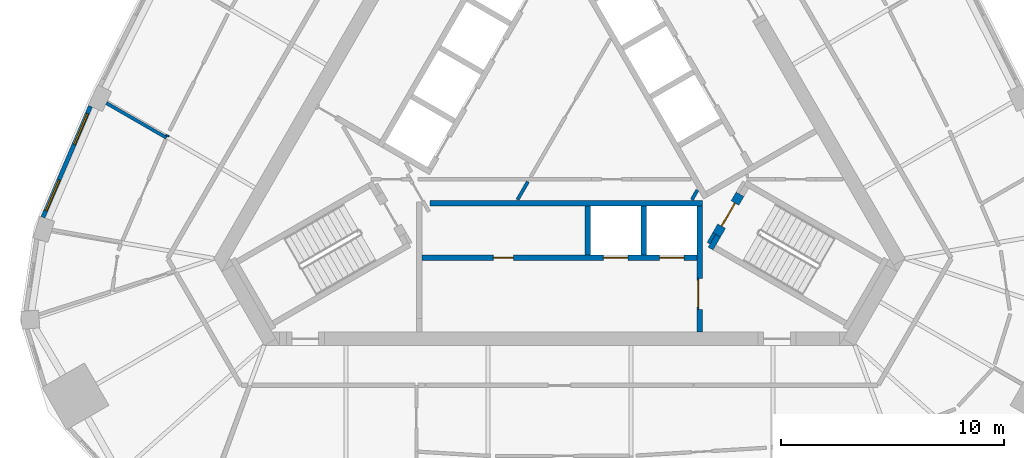
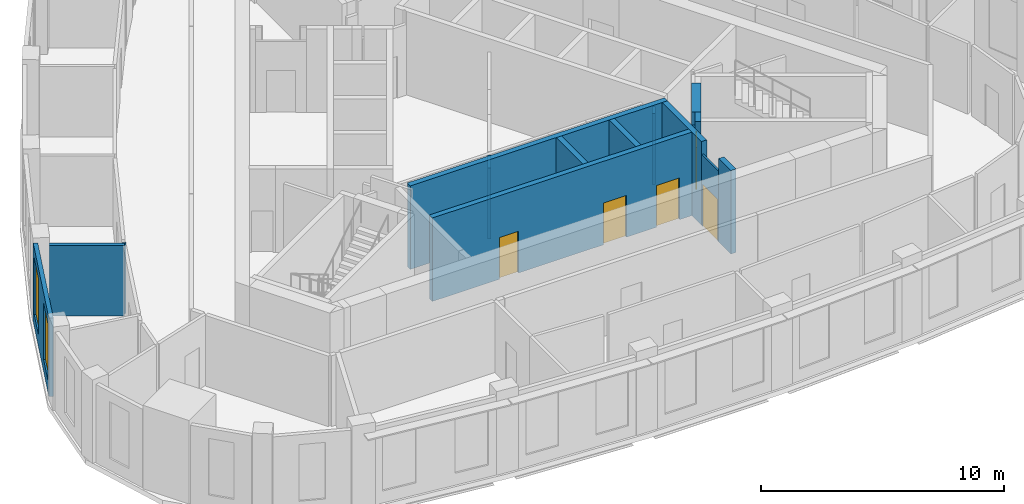
# One storey, part 4 of 10: 15 walls, 5 doors, 2 windows, 7 openings.
"""IFC4 building model written with IfcOpenShell, lengths in metres."""

from ifc_helpers import new_model, si_unit, direction, frame, frame_2d, origin, place, context, subcontext, project, spatial, rectangle, extrude, material, layer, layer_set, type_object, element, fill, save


model = new_model("IFC4")

# Units and contexts
model_context = context("Model", 3, precision=1e-05, world=origin(), true_north=direction((0.0, 1.0)))
body_context = subcontext(model_context, "Body", "Model", "MODEL_VIEW")
ifc_project = project(units=[si_unit("LENGTHUNIT", "METRE"), si_unit("AREAUNIT", "SQUARE_METRE"), si_unit("VOLUMEUNIT", "CUBIC_METRE"), si_unit("PLANEANGLEUNIT", "RADIAN"), si_unit("MASSUNIT", "GRAM", prefix="KILO")], contexts=[model_context])

# Site, building, storey
site_placement = place(None, origin())
site = spatial("IfcSite", under=ifc_project, at=site_placement, CompositionType="ELEMENT")
building_placement = place(site_placement, origin())
building = spatial("IfcBuilding", under=site, at=building_placement, Name="Mestral Congress Tower", CompositionType="ELEMENT")
storey_placement = place(building_placement, frame((0.0, 0.0, 283.800048828125)))
storey = spatial("IfcBuildingStorey", under=building, at=storey_placement, Name="L66", CompositionType="ELEMENT", Elevation=283.800048828125)

# Walls
ifc_material_1 = material(Name="Fire-rated board partition")
ifc_layer_1 = layer(ifc_material_1, 0.14990234375)
ifc_layer_set_1 = layer_set([ifc_layer_1], Name="Fire-rated board partition")
wall_type_1 = type_object("IfcWallType", Name="Core partition 150", PredefinedType="PARTITIONING", material=ifc_layer_set_1)
wall_1_placement = place(storey_placement, frame((-1.41845703125, -2.90673828125, 0.0), z_axis=(0.0, 0.0, 1.0), x_axis=(-0.499978056798, -0.866038072327, 0.0)))
element("IfcWall", 1, at=wall_1_placement, inside=storey, type_object=wall_type_1, Name="L66 core wall", PredefinedType="PARTITIONING", context=body_context, shape_type="SweptSolid", body=[
    extrude(rectangle(XDim=0.93701171875, YDim=0.14990234375, at=frame_2d((0.468505859375, 0.0))), origin(), (0.0, 0.0, 1.0), 3.550048828125),
])
wall_2_placement = place(storey_placement, frame((6.68798828125, -5.667236328125, 0.0), z_axis=(0.0, 0.0, 1.0), x_axis=(0.499834152157, 0.86612113491, 0.0)))
element("IfcWall", 2, at=wall_2_placement, inside=storey, type_object=wall_type_1, Name="L66 core wall", PredefinedType="PARTITIONING", context=body_context, shape_type="SweptSolid", body=[
    extrude(rectangle(XDim=0.504638671875, YDim=0.14990234375, at=frame_2d((0.25244140625, 0.0))), origin(), (0.0, 0.0, 1.0), 3.550048828125),
])
wall_3_placement = place(storey_placement, frame((5.935791015625, -3.718017578125, 0.0), z_axis=(0.0, 0.0, 1.0), x_axis=(0.499890179513, 0.866088799389, 0.0)))
element("IfcWall", 3, at=wall_3_placement, inside=storey, type_object=wall_type_1, Name="L66 core wall", PredefinedType="PARTITIONING", context=body_context, shape_type="SweptSolid", body=[
    extrude(rectangle(XDim=0.50390625, YDim=0.14990234375, at=frame_2d((0.251953125, 0.0))), origin(), (0.0, 0.0, 1.0), 3.550048828125),
])

# Wall, opening, door
ifc_layer_2 = layer(ifc_material_1, 0.090087890625)
ifc_layer_set_2 = layer_set([ifc_layer_2], Name="Fire-rated board partition")
wall_type_2 = type_object("IfcWallType", Name="Core partition 150 door-wall 90", PredefinedType="PARTITIONING", material=ifc_layer_set_2)
wall_4_placement = place(storey_placement, frame((6.219970703125, -7.23681640625, 0.0), z_axis=(0.0, 0.0, 1.0), x_axis=(0.0, -1.0, 0.0)))
wall_4 = element("IfcWall", 4, at=wall_4_placement, inside=storey, type_object=wall_type_2, Name="L66 door wall", PredefinedType="PARTITIONING", context=body_context, shape_type="SweptSolid", body=[
    extrude(rectangle(XDim=1.400146484375, YDim=0.090087890625, at=frame_2d((0.7001953125, 0.0))), origin(), (0.0, 0.0, 1.0), 3.550048828125),
])
opening_1_placement = place(wall_4_placement, frame((0.10009765625, 0.0, 0.0)))
opening_1 = element("IfcOpeningElement", 5, at=opening_1_placement, cuts=wall_4, Name="Opening LB0-WL1", PredefinedType="OPENING", context=body_context, shape_type="SweptSolid", body=[
    extrude(rectangle(XDim=1.199951171875, YDim=2.10009765625, at=frame_2d((0.60009765625, 1.050048828125))), frame((0.0, 0.054931640625, 0.0), z_axis=(0.0, -1.0, 0.0), x_axis=(1.0, 0.0, 0.0)), (0.0, 0.0, 1.0), 0.110107421875),
])
ifc_material_2 = material(Name="Fire-rated steel door set", Category="steel")
door_type_1 = type_object("IfcDoorType", Name="Core door LB 1200x2100", OperationType="SINGLE_SWING_LEFT", PredefinedType="DOOR", material=ifc_material_2)
door_1_placement = place(opening_1_placement, origin())
door_1 = element("IfcDoor", 6, at=door_1_placement, inside=storey, type_object=door_type_1, Name="Door LB0-WL1", OperationType="SINGLE_SWING_LEFT", OverallHeight=2.10009765625, OverallWidth=1.199951171875, PredefinedType="DOOR", context=body_context, shape_type="SweptSolid", body=[
    extrude(rectangle(XDim=1.199951171875, YDim=2.10009765625, at=frame_2d((0.60009765625, 1.050048828125))), frame((0.0, 0.02490234375, 0.0), z_axis=(0.0, -1.0, 0.0), x_axis=(1.0, 0.0, 0.0)), (0.0, 0.0, 1.0), 0.050048828125),
])
fill(opening_1, door_1)

# Wall, openings, windows
ifc_material_3 = material(Name="Precast concrete C40/50 with limestone facing", Category="masonry")
ifc_layer_3 = layer(ifc_material_3, 0.18994140625)
ifc_layer_set_3 = layer_set([ifc_layer_3], Name="Precast concrete C40/50 with limestone facing")
wall_type_3 = type_object("IfcWallType", Name="Facade stone wall 190", PredefinedType="SOLIDWALL", material=ifc_layer_set_3)
wall_5_placement = place(storey_placement, frame((-21.048828125, 0.477783203125, 0.0), z_axis=(0.0, 0.0, 1.0), x_axis=(-0.393347848476, -0.919389726992, 0.0)))
wall_5 = element("IfcWall", 7, at=wall_5_placement, inside=storey, type_object=wall_type_3, Name="Facade wall F2-04", PredefinedType="SOLIDWALL", context=body_context, shape_type="SweptSolid", body=[
    extrude(rectangle(XDim=5.414794921875, YDim=0.18994140625, at=frame_2d((2.70751953125, 0.0))), origin(), (0.0, 0.0, 1.0), 3.949951171875),
])
opening_2_placement = place(wall_5_placement, frame((0.357421875, 0.0, 0.60009765625)))
opening_2 = element("IfcOpeningElement", 8, at=opening_2_placement, cuts=wall_5, Name="Opening W6", PredefinedType="OPENING", context=body_context, shape_type="SweptSolid", body=[
    extrude(rectangle(XDim=1.5, YDim=2.85009765625, at=frame_2d((0.75, 1.425048828125))), frame((0.0, 0.10498046875, 0.0), z_axis=(0.0, -1.0, 0.0), x_axis=(1.0, 0.0, 0.0)), (0.0, 0.0, 1.0), 0.2099609375),
])
opening_3_placement = place(wall_5_placement, frame((3.592529296875, 0.0, 0.60009765625)))
opening_3 = element("IfcOpeningElement", 9, at=opening_3_placement, cuts=wall_5, Name="Opening W6", PredefinedType="OPENING", context=body_context, shape_type="SweptSolid", body=[
    extrude(rectangle(XDim=1.5, YDim=2.85009765625, at=frame_2d((0.75, 1.425048828125))), frame((0.0, 0.10498046875, 0.0), z_axis=(0.0, -1.0, 0.0), x_axis=(1.0, 0.0, 0.0)), (0.0, 0.0, 1.0), 0.2099609375),
])
ifc_material_4 = material(Name="Clear low-emissivity double glazing", Category="glass")
window_type = type_object("IfcWindowType", Name="Facade punched window 1500 x 2850 sill 600", PartitioningType="SINGLE_PANEL", PredefinedType="WINDOW", material=ifc_material_4)
window_1_placement = place(opening_2_placement, origin())
window_1 = element("IfcWindow", 10, at=window_1_placement, inside=storey, type_object=window_type, Name="Window F2-04a", OverallHeight=2.85009765625, OverallWidth=1.5, PartitioningType="SINGLE_PANEL", PredefinedType="WINDOW", context=body_context, shape_type="SweptSolid", body=[
    extrude(rectangle(XDim=1.5, YDim=2.85009765625, at=frame_2d((0.75, 1.425048828125))), frame((0.0, 0.044921875, 0.0), z_axis=(0.0, -1.0, 0.0), x_axis=(1.0, 0.0, 0.0)), (0.0, 0.0, 1.0), 0.06005859375),
])
fill(opening_2, window_1)
window_2_placement = place(opening_3_placement, origin())
window_2 = element("IfcWindow", 11, at=window_2_placement, inside=storey, type_object=window_type, Name="Window F2-04b", OverallHeight=2.85009765625, OverallWidth=1.5, PartitioningType="SINGLE_PANEL", PredefinedType="WINDOW", context=body_context, shape_type="SweptSolid", body=[
    extrude(rectangle(XDim=1.5, YDim=2.85009765625, at=frame_2d((0.75, 1.425048828125))), frame((0.0, 0.044921875, 0.0), z_axis=(0.0, -1.0, 0.0), x_axis=(1.0, 0.0, 0.0)), (0.0, 0.0, 1.0), 0.06005859375),
])
fill(opening_3, window_2)

# Walls
ifc_material_5 = material(Name="Plasterboard partition on steel studs", Category="steel")
ifc_layer_4 = layer(ifc_material_5, 0.14990234375)
ifc_layer_set_4 = layer_set([ifc_layer_4], Name="Plasterboard partition on steel studs")
wall_type_4 = type_object("IfcWallType", Name="Office partition 150", PredefinedType="PARTITIONING", material=ifc_layer_set_4)
wall_6_placement = place(storey_placement, frame((-17.634521484375, -0.935546875, 0.0), z_axis=(0.0, 0.0, 1.0), x_axis=(-0.866044607523, 0.499966736674, 0.0)))
element("IfcWall", 12, at=wall_6_placement, inside=storey, type_object=wall_type_4, Name="Partition", PredefinedType="PARTITIONING", context=body_context, shape_type="SweptSolid", body=[
    extrude(rectangle(XDim=3.114501953125, YDim=0.14990234375, at=frame_2d((1.55712890625, 0.0))), origin(), (0.0, 0.0, 1.0), 3.550048828125),
])
wall_7_placement = place(storey_placement, frame((-17.5810546875, -0.810302734375, 0.0), z_axis=(0.0, 0.0, 1.0), x_axis=(-0.390033474923, -0.92080067791, 0.0)))
element("IfcWall", 13, at=wall_7_placement, inside=storey, type_object=wall_type_4, Name="Partition", PredefinedType="PARTITIONING", context=body_context, shape_type="SweptSolid", body=[
    extrude(rectangle(XDim=0.060791015625, YDim=0.14990234375, at=frame_2d((0.0302734375, 0.0))), origin(), (0.0, 0.0, 1.0), 3.550048828125),
])
ifc_material_6 = material(Name="Concrete C60/75", Category="concrete")
ifc_layer_5 = layer(ifc_material_6, 0.25)
ifc_layer_set_5 = layer_set([ifc_layer_5], Name="Concrete C60/75")
wall_type_5 = type_object("IfcWallType", Name="Shaft wall RC 250", PredefinedType="SOLIDWALL", material=ifc_layer_set_5)
wall_8_placement = place(storey_placement, frame((-5.806396484375, -3.875, 0.0), z_axis=(0.0, 0.0, 1.0), x_axis=(1.0, 0.0, 0.0)))
element("IfcWall", 14, at=wall_8_placement, inside=storey, type_object=wall_type_5, Name="L66 core wall", PredefinedType="SOLIDWALL", context=body_context, shape_type="SweptSolid", body=[
    extrude(rectangle(XDim=12.2314453125, YDim=0.25, at=frame_2d((6.11572265625, 0.0))), origin(), (0.0, 0.0, 1.0), 4.199951171875),
])
wall_9_placement = place(storey_placement, frame((6.300048828125, -7.239990234375, 0.0), z_axis=(0.0, 0.0, 1.0), x_axis=(0.0, 1.0, 0.0)))
element("IfcWall", 15, at=wall_9_placement, inside=storey, type_object=wall_type_5, Name="L66 core wall", PredefinedType="SOLIDWALL", context=body_context, shape_type="SweptSolid", body=[
    extrude(rectangle(XDim=3.239990234375, YDim=0.25, at=frame_2d((1.6201171875, 0.0))), origin(), (0.0, 0.0, 1.0), 4.199951171875),
])
wall_10_placement = place(storey_placement, frame((6.300048828125, -9.64990234375, 0.0), z_axis=(0.0, 0.0, 1.0), x_axis=(0.0, 1.0, 0.0)))
element("IfcWall", 16, at=wall_10_placement, inside=storey, type_object=wall_type_5, Name="L66 core wall", PredefinedType="SOLIDWALL", context=body_context, shape_type="SweptSolid", body=[
    extrude(rectangle(XDim=1.0078125, YDim=0.25, at=frame_2d((0.50390625, 0.0))), origin(), (0.0, 0.0, 1.0), 4.199951171875),
])
for number, where, z_axis, x_axis, name in (
    (17, (3.780029296875, -4.0, 0.0), (0.0, 0.0, 1.0), (0.0, -1.0, 0.0), "L66 core wall"),
    (18, (1.260009765625, -4.0, 0.0), (0.0, 0.0, 1.0), (0.0, -1.0, 0.0), "L66 core wall"),
):
    element("IfcWall", number, at=place(storey_placement, frame(where, z_axis=z_axis, x_axis=x_axis)), inside=storey, type_object=wall_type_5, Name=name, PredefinedType="SOLIDWALL", context=body_context, shape_type="SweptSolid", body=[
        extrude(rectangle(XDim=2.199951171875, YDim=0.25, at=frame_2d((1.10009765625, 0.0))), origin(), (0.0, 0.0, 1.0), 4.199951171875),
    ])

# Wall, openings, doors
wall_11_placement = place(storey_placement, frame((-6.175048828125, -6.324951171875, 0.0), z_axis=(0.0, 0.0, 1.0), x_axis=(1.0, 0.0, 0.0)))
wall_11 = element("IfcWall", 19, at=wall_11_placement, inside=storey, type_object=wall_type_5, Name="L66 door wall", PredefinedType="SOLIDWALL", context=body_context, shape_type="SweptSolid", body=[
    extrude(rectangle(XDim=12.35009765625, YDim=0.25, at=frame_2d((6.175048828125, 0.0))), origin(), (0.0, 0.0, 1.0), 4.199951171875),
])
opening_4_placement = place(wall_11_placement, frame((3.205078125, 0.0, 0.0)))
opening_4 = element("IfcOpeningElement", 20, at=opening_4_placement, cuts=wall_11, Name="Opening SR-SOB1", PredefinedType="OPENING", context=body_context, shape_type="SweptSolid", body=[
    extrude(rectangle(XDim=0.89990234375, YDim=2.10009765625, at=frame_2d((0.449951171875, 1.050048828125))), frame((0.0, 0.135009765625, 0.0), z_axis=(0.0, -1.0, 0.0), x_axis=(1.0, 0.0, 0.0)), (0.0, 0.0, 1.0), 0.27001953125),
])
opening_5_placement = place(wall_11_placement, frame((8.14501953125, 0.0, 0.0)))
opening_5 = element("IfcOpeningElement", 21, at=opening_5_placement, cuts=wall_11, Name="Opening LD-SOB4", PredefinedType="OPENING", context=body_context, shape_type="SweptSolid", body=[
    extrude(rectangle(XDim=1.10009765625, YDim=2.10009765625, at=frame_2d((0.550048828125, 1.050048828125))), frame((0.0, 0.135009765625, 0.0), z_axis=(0.0, -1.0, 0.0), x_axis=(1.0, 0.0, 0.0)), (0.0, 0.0, 1.0), 0.27001953125),
])
opening_6_placement = place(wall_11_placement, frame((10.6650390625, 0.0, 0.0)))
opening_6 = element("IfcOpeningElement", 22, at=opening_6_placement, cuts=wall_11, Name="Opening LD-SOB5", PredefinedType="OPENING", context=body_context, shape_type="SweptSolid", body=[
    extrude(rectangle(XDim=1.10009765625, YDim=2.10009765625, at=frame_2d((0.550048828125, 1.050048828125))), frame((0.0, 0.135009765625, 0.0), z_axis=(0.0, -1.0, 0.0), x_axis=(1.0, 0.0, 0.0)), (0.0, 0.0, 1.0), 0.27001953125),
])
door_type_2 = type_object("IfcDoorType", Name="Core door LD 1100x2100", OperationType="DOUBLE_DOOR_SLIDING", PredefinedType="DOOR", material=ifc_material_2)
door_2_placement = place(opening_5_placement, origin())
door_2 = element("IfcDoor", 23, at=door_2_placement, inside=storey, type_object=door_type_2, Name="Door LD-SOB4", OperationType="DOUBLE_DOOR_SLIDING", OverallHeight=2.10009765625, OverallWidth=1.10009765625, PredefinedType="DOOR", context=body_context, shape_type="SweptSolid", body=[
    extrude(rectangle(XDim=1.10009765625, YDim=2.10009765625, at=frame_2d((0.550048828125, 1.050048828125))), frame((0.0, 0.02490234375, 0.0), z_axis=(0.0, -1.0, 0.0), x_axis=(1.0, 0.0, 0.0)), (0.0, 0.0, 1.0), 0.050048828125),
])
fill(opening_5, door_2)
door_3_placement = place(opening_6_placement, origin())
door_3 = element("IfcDoor", 24, at=door_3_placement, inside=storey, type_object=door_type_2, Name="Door LD-SOB5", OperationType="DOUBLE_DOOR_SLIDING", OverallHeight=2.10009765625, OverallWidth=1.10009765625, PredefinedType="DOOR", context=body_context, shape_type="SweptSolid", body=[
    extrude(rectangle(XDim=1.10009765625, YDim=2.10009765625, at=frame_2d((0.550048828125, 1.050048828125))), frame((0.0, 0.02490234375, 0.0), z_axis=(0.0, -1.0, 0.0), x_axis=(1.0, 0.0, 0.0)), (0.0, 0.0, 1.0), 0.050048828125),
])
fill(opening_6, door_3)
door_type_3 = type_object("IfcDoorType", Name="Core door SR 900x2100", OperationType="SINGLE_SWING_LEFT", PredefinedType="DOOR", material=ifc_material_2)
door_4_placement = place(opening_4_placement, origin())
door_4 = element("IfcDoor", 25, at=door_4_placement, inside=storey, type_object=door_type_3, Name="Door SR-SOB1", OperationType="SINGLE_SWING_LEFT", OverallHeight=2.10009765625, OverallWidth=0.89990234375, PredefinedType="DOOR", context=body_context, shape_type="SweptSolid", body=[
    extrude(rectangle(XDim=0.89990234375, YDim=2.10009765625, at=frame_2d((0.449951171875, 1.050048828125))), frame((0.0, 0.02490234375, 0.0), z_axis=(0.0, -1.0, 0.0), x_axis=(1.0, 0.0, 0.0)), (0.0, 0.0, 1.0), 0.050048828125),
])
fill(opening_4, door_4)

# Wall
ifc_layer_6 = layer(ifc_material_6, 0.25)
ifc_layer_set_6 = layer_set([ifc_layer_6], Name="Concrete C60/75")
wall_type_6 = type_object("IfcWallType", Name="Stair wall RC 250", PredefinedType="SOLIDWALL", material=ifc_layer_set_6)
wall_12_placement = place(storey_placement, frame((7.11279296875, -5.330078125, 0.0), z_axis=(0.0, 0.0, 1.0), x_axis=(-0.499965889992, -0.866045096311, 0.0)))
element("IfcWall", 26, at=wall_12_placement, inside=storey, type_object=wall_type_6, Name="L66 core wall", PredefinedType="SOLIDWALL", context=body_context, shape_type="SweptSolid", body=[
    extrude(rectangle(XDim=0.66552734375, YDim=0.25, at=frame_2d((0.332763671875, 0.0))), origin(), (0.0, 0.0, 1.0), 4.199951171875),
])

# Wall, opening, door
ifc_layer_7 = layer(ifc_material_6, 0.39990234375)
ifc_layer_set_7 = layer_set([ifc_layer_7], Name="Concrete C60/75")
wall_type_7 = type_object("IfcWallType", Name="Stair wall RC 250 door-wall 400", PredefinedType="SOLIDWALL", material=ifc_layer_set_7)
wall_13_placement = place(storey_placement, frame((7.048095703125, -5.29248046875, 0.0), z_axis=(0.0, 0.0, 1.0), x_axis=(0.49994051562, 0.866059744384, 0.0)))
wall_13 = element("IfcWall", 27, at=wall_13_placement, inside=storey, type_object=wall_type_7, Name="L66 door wall", PredefinedType="SOLIDWALL", context=body_context, shape_type="SweptSolid", body=[
    extrude(rectangle(XDim=2.099853515625, YDim=0.39990234375, at=frame_2d((1.0498046875, 0.0))), origin(), (0.0, 0.0, 1.0), 4.199951171875),
])
opening_7_placement = place(wall_13_placement, frame((0.449951171875, 0.0, 0.0)))
opening_7 = element("IfcOpeningElement", 28, at=opening_7_placement, cuts=wall_13, Name="Opening ST-D1", PredefinedType="OPENING", context=body_context, shape_type="SweptSolid", body=[
    extrude(rectangle(XDim=1.199951171875, YDim=2.10009765625, at=frame_2d((0.60009765625, 1.050048828125))), frame((0.0, 0.2099609375, 0.0), z_axis=(0.0, -1.0, 0.0), x_axis=(1.0, 0.0, 0.0)), (0.0, 0.0, 1.0), 0.419921875),
])
door_type_4 = type_object("IfcDoorType", Name="Core door ST 1200x2100", OperationType="SINGLE_SWING_LEFT", PredefinedType="DOOR", material=ifc_material_2)
door_5_placement = place(opening_7_placement, origin())
door_5 = element("IfcDoor", 29, at=door_5_placement, inside=storey, type_object=door_type_4, Name="Door ST-D1", OperationType="SINGLE_SWING_LEFT", OverallHeight=2.10009765625, OverallWidth=1.199951171875, PredefinedType="DOOR", context=body_context, shape_type="SweptSolid", body=[
    extrude(rectangle(XDim=1.199951171875, YDim=2.10009765625, at=frame_2d((0.60009765625, 1.050048828125))), frame((0.0, 0.02490234375, 0.0), z_axis=(0.0, -1.0, 0.0), x_axis=(1.0, 0.0, 0.0)), (0.0, 0.0, 1.0), 0.050048828125),
])
fill(opening_7, door_5)

save(model, "model.ifc")
